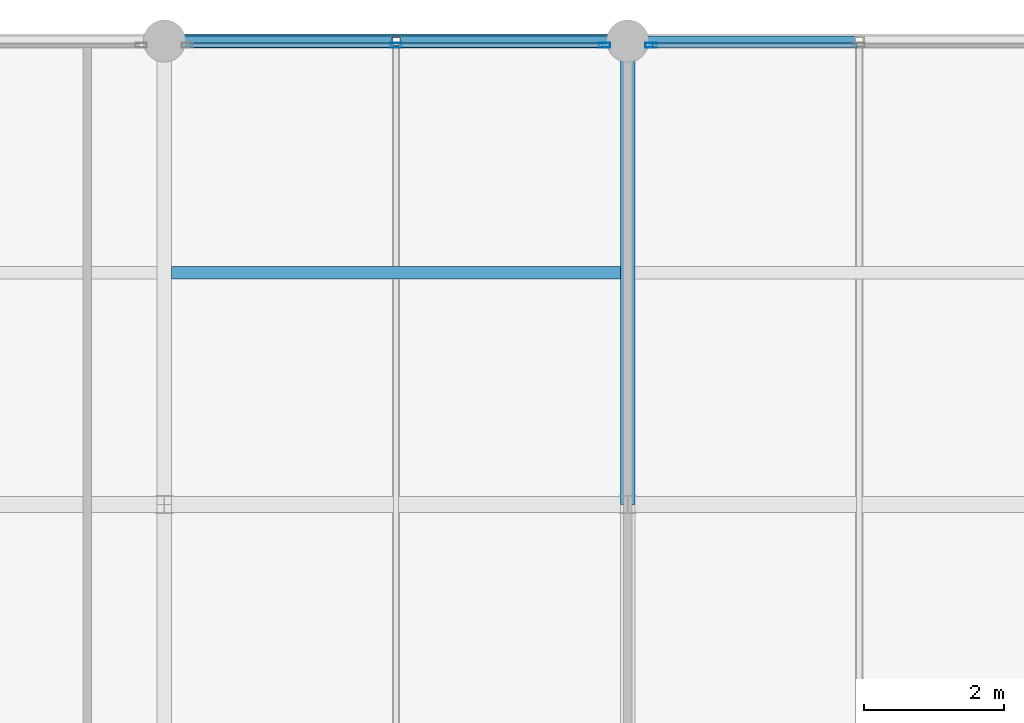
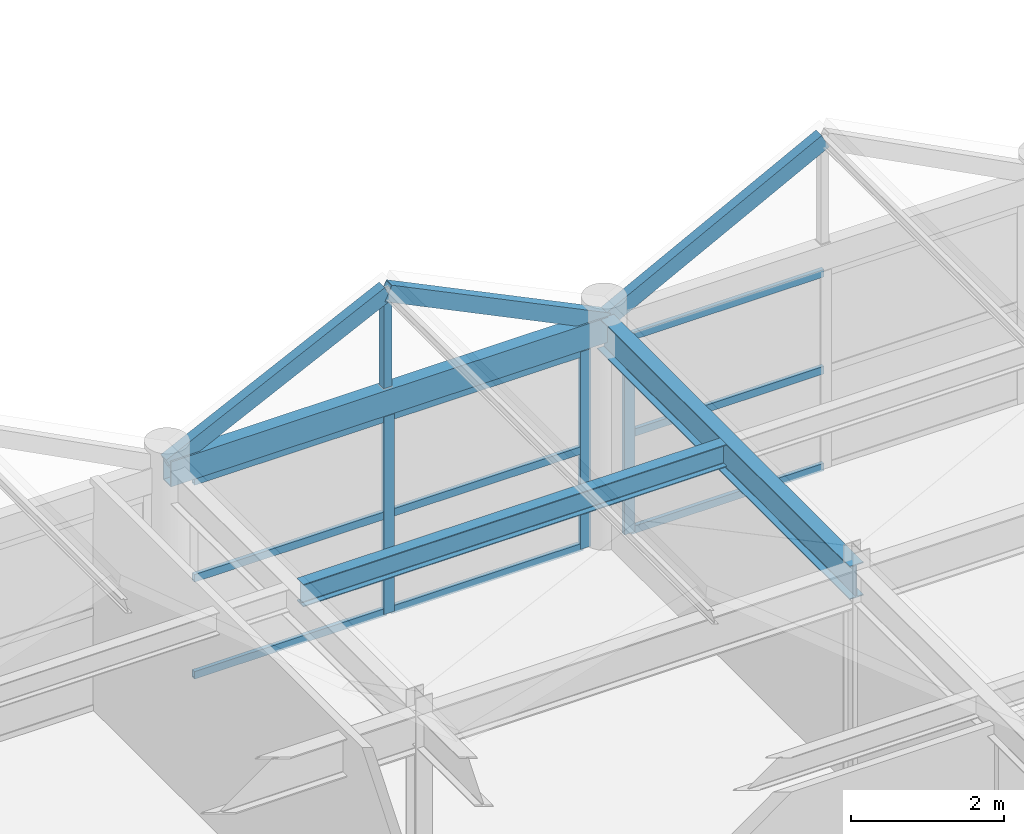
# One storey, part 9 of 21: 16 members, 3 beams, 2 elements without a shape of their own.
"""IFC4 building model written with IfcOpenShell, lengths in metres."""

import ifcopenshell
import ifcopenshell.guid

model = None  # the IFC model being written
_history = None  # IfcOwnerHistory: only IFC2X3 demands one
_inside = {}  # id of a spatial element -> (the spatial element, [elements in it])
_under = {}  # id of a project, library or spatial element -> (it, [spatial elements below it])
_declared = {}  # id of a project -> (the project, [libraries it declares])
_typed = {}  # id of a type object -> (the type object, [elements of that type])
_made_of = {}  # id of a material, layer set ... -> (it, [elements and type objects made of it])


def new_model(schema):
    """Start an empty IFC model of exactly this schema.

    Asked for "IFC4X3", IfcOpenShell would pick the latest addendum, in which some entities
    have other attributes; the version numbers below select the first issue.
    IFC2X3 requires an IfcOwnerHistory on every rooted entity: one is made here for all.
    """
    global model, _history
    if schema == "IFC4X3":
        model = ifcopenshell.file(schema_version=(4, 3, 0, 0))
    else:
        model = ifcopenshell.file(schema=schema)
    _inside.clear()
    _under.clear()
    _declared.clear()
    _typed.clear()
    _made_of.clear()
    _history = None
    if model.schema == "IFC2X3":
        org = make("IfcOrganization", Name="unknown")
        user = make(
            "IfcPersonAndOrganization",
            ThePerson=make("IfcPerson", FamilyName="unknown"),
            TheOrganization=org,
        )
        app = make(
            "IfcApplication",
            ApplicationDeveloper=org,
            Version="unknown",
            ApplicationFullName="unknown",
            ApplicationIdentifier="unknown",
        )
        _history = make(
            "IfcOwnerHistory",
            OwningUser=user,
            OwningApplication=app,
            ChangeAction="ADDED",
            CreationDate=0,
        )
    return model


def make(cls, **values):
    """One entity of the class cls with the attributes given. An attribute that is None is left unset."""
    return model.create_entity(
        cls, **{name: value for name, value in values.items() if value is not None}
    )


def rooted(cls, **values):
    """An entity with a GlobalId (a new one), such as an element, a storey or a relation."""
    return make(cls, GlobalId=ifcopenshell.guid.new(), OwnerHistory=_history, **values)


def si_unit(unit_type, name, prefix=None):
    """IfcSIUnit, for example si_unit("LENGTHUNIT", "METRE", prefix="MILLI")."""
    return make("IfcSIUnit", UnitType=unit_type, Prefix=prefix, Name=name)


def assignment(units):
    """IfcUnitAssignment: the units of a project."""
    return None if units is None else make("IfcUnitAssignment", Units=units)


def point(xyz):
    """IfcCartesianPoint."""
    return None if xyz is None else make("IfcCartesianPoint", Coordinates=xyz)


def direction(xyz):
    """IfcDirection."""
    return None if xyz is None else make("IfcDirection", DirectionRatios=xyz)


def frame(location, z_axis=None, x_axis=None):
    """IfcAxis2Placement3D, a coordinate frame: its origin and axes. An axis left out is left unset."""
    return make(
        "IfcAxis2Placement3D",
        Location=point(location),
        Axis=direction(z_axis),
        RefDirection=direction(x_axis),
    )


def frame_2d(location, x_axis=None):
    """IfcAxis2Placement2D, a coordinate frame in the plane: its origin and x axis."""
    return make(
        "IfcAxis2Placement2D", Location=point(location), RefDirection=direction(x_axis)
    )


def origin():
    """The frame at (0, 0, 0) with its axes left unset."""
    return frame((0.0, 0.0, 0.0))


def origin_2d():
    """The frame at (0, 0) in the plane with its x axis left unset."""
    return frame_2d((0.0, 0.0))


def place(relative_to, where):
    """IfcLocalPlacement: puts the frame where relative to a parent placement (None: the world)."""
    return make(
        "IfcLocalPlacement", PlacementRelTo=relative_to, RelativePlacement=where
    )


def context(
    kind, dimensions, precision=None, world=None, true_north=None, identifier=None
):
    """IfcGeometricRepresentationContext, for example the 3D "Model" context."""
    return make(
        "IfcGeometricRepresentationContext",
        ContextIdentifier=identifier,
        ContextType=kind,
        CoordinateSpaceDimension=dimensions,
        Precision=precision,
        WorldCoordinateSystem=world,
        TrueNorth=true_north,
    )


def subcontext(parent, identifier, kind, view, scale=None):
    """IfcGeometricRepresentationSubContext, for example "Body" below "Model"."""
    return make(
        "IfcGeometricRepresentationSubContext",
        ContextIdentifier=identifier,
        ContextType=kind,
        ParentContext=parent,
        TargetScale=scale,
        TargetView=view,
    )


def project(units=None, contexts=None):
    """IfcProject with its units and contexts."""
    return rooted(
        "IfcProject",
        Name="project",
        RepresentationContexts=contexts,
        UnitsInContext=assignment(units),
    )


def spatial(cls, under=None, at=None, **own):
    """A site, building, storey or space (cls), placed at a placement, below another one or the project."""
    s = rooted(cls, ObjectPlacement=at, **own)
    if under is not None:
        _under.setdefault(under.id(), (under, []))[1].append(s)
    return s


def profile(cls, at=None, kind="AREA", **sizes):
    """A parametric profile (cls). Its sizes go by their IFC names, for example OverallWidth=200.0."""
    return make(cls, ProfileType=kind, Position=at, **sizes)


def hollow_rectangle(**sizes):
    """IfcRectangleHollowProfileDef."""
    return profile("IfcRectangleHollowProfileDef", **sizes)


def i_section(**sizes):
    """IfcIShapeProfileDef."""
    return profile("IfcIShapeProfileDef", **sizes)


def extrude(swept, where, along, depth):
    """IfcExtrudedAreaSolid: the profile swept, set in the frame where, extruded along a direction by depth."""
    return make(
        "IfcExtrudedAreaSolid",
        SweptArea=swept,
        Position=where,
        ExtrudedDirection=direction(along),
        Depth=depth,
    )


def shape(context_of_items, identifier, shape_type, items):
    """IfcShapeRepresentation: the items that make up one representation, for example the "Body"."""
    return make(
        "IfcShapeRepresentation",
        ContextOfItems=context_of_items,
        RepresentationIdentifier=identifier,
        RepresentationType=shape_type,
        Items=items,
    )


def material(Name=None, Category=None):
    """IfcMaterial."""
    return make("IfcMaterial", Name=Name, Category=Category)


def material_profile(
    of_material, cross_section, Name=None, Category=None, Priority=None
):
    """IfcMaterialProfile: a cross section and its material."""
    return make(
        "IfcMaterialProfile",
        Name=Name,
        Material=of_material,
        Profile=cross_section,
        Priority=Priority,
        Category=Category,
    )


def profile_set(profiles, Name=None, composite=None):
    """IfcMaterialProfileSet."""
    return make(
        "IfcMaterialProfileSet",
        Name=Name,
        MaterialProfiles=profiles,
        CompositeProfile=composite,
    )


def made_of(thing, what):
    """Note that an element or type object is made of a material, layer set ...; save() writes the relation."""
    if what is not None:
        _made_of.setdefault(what.id(), (what, []))[1].append(thing)
    return thing


def type_object(cls, material=None, **own):
    """A type object (cls), such as IfcWallType, which elements share."""
    return made_of(rooted(cls, **own), material)


def element(
    cls,
    number,
    at=None,
    inside=None,
    cuts=None,
    type_object=None,
    material=None,
    context=None,
    identifier="Body",
    shape_type=None,
    held_by="IfcProductDefinitionShape",
    body=None,
    shapes=None,
    **own,
):
    """One element of the class cls, such as IfcWall. Its Tag is "e" and its number.

    at: its placement. inside: the storey or other place that contains it. cuts: it is an
    opening in that element (IfcRelVoidsElement). A single representation is given by context,
    identifier, shape_type and body (its items); several are given by shapes. held_by: the class
    of the entity that holds the representations. save() writes the other relations.
    """
    e = rooted(cls, Tag="e%d" % number, ObjectPlacement=at, **own)
    if body is not None:
        shapes = [shape(context, identifier, shape_type, body)]
    if shapes is not None:
        e.Representation = make(held_by, Representations=shapes)
    if inside is not None:
        _inside.setdefault(inside.id(), (inside, []))[1].append(e)
    if cuts is not None:
        rooted(
            "IfcRelVoidsElement", RelatingBuildingElement=cuts, RelatedOpeningElement=e
        )
    if type_object is not None:
        _typed.setdefault(type_object.id(), (type_object, []))[1].append(e)
    return made_of(e, material)


def aggregate(whole, parts):
    """IfcRelAggregates: a whole, such as a stair, and the parts it consists of."""
    return rooted("IfcRelAggregates", RelatingObject=whole, RelatedObjects=parts)


def save(model, path):
    """Write the relations noted so far, then the file.

    IfcRelAggregates (storeys below a building ...), IfcRelContainedInSpatialStructure (elements
    in a storey), IfcRelDefinesByType, IfcRelAssociatesMaterial and IfcRelDeclares: one each for
    every whole, place, type object, material and project.
    """
    for whole, parts in _under.values():
        aggregate(whole, parts)
    for where, things in _inside.values():
        rooted(
            "IfcRelContainedInSpatialStructure",
            RelatedElements=things,
            RelatingStructure=where,
        )
    for kind, things in _typed.values():
        rooted("IfcRelDefinesByType", RelatedObjects=things, RelatingType=kind)
    for what, things in _made_of.values():
        rooted("IfcRelAssociatesMaterial", RelatedObjects=things, RelatingMaterial=what)
    for by, libraries in _declared.values():
        rooted("IfcRelDeclares", RelatingContext=by, RelatedDefinitions=libraries)
    model.write(path)


model = new_model("IFC4")

# Units and contexts
model_context = context("Model", 3, precision=1e-05, world=origin(), true_north=direction((0.0, 1.0)))
body_context = subcontext(model_context, "Body", "Model", "MODEL_VIEW")
ifc_project = project(units=[si_unit("LENGTHUNIT", "METRE"), si_unit("AREAUNIT", "SQUARE_METRE"), si_unit("VOLUMEUNIT", "CUBIC_METRE"), si_unit("PLANEANGLEUNIT", "RADIAN"), si_unit("MASSUNIT", "GRAM", prefix="KILO")], contexts=[model_context])

# Site, building, storey
site_placement = place(None, origin())
site = spatial("IfcSite", under=ifc_project, at=site_placement, CompositionType="ELEMENT")
building_placement = place(site_placement, origin())
building = spatial("IfcBuilding", under=site, at=building_placement, Name="Karori Crest Natural Sciences Institute", CompositionType="ELEMENT")
storey_placement = place(building_placement, frame((0.0, 0.0, 42.0)))
storey = spatial("IfcBuildingStorey", under=building, at=storey_placement, Name="L10", CompositionType="ELEMENT", Elevation=42.0)

# Beams
ifc_material_1 = material(Name="Structural steel AS/NZS 3679.1 Grade 350", Category="steel")
ifc_material_profile_1 = material_profile(ifc_material_1, i_section(OverallWidth=0.208984375, OverallDepth=0.532958984375, WebThickness=0.01025390625, FlangeThickness=0.015625, FilletRadius=0.013916015625, at=origin_2d()), Name="530UB92.4")
ifc_profile_set_1 = profile_set([ifc_material_profile_1], Name="Structural steel AS/NZS 3679.1 Grade 350")
beam_type_1 = type_object("IfcBeamType", Name="BT-05", PredefinedType="BEAM", material=ifc_profile_set_1)
beam_1_placement = place(storey_placement, frame((116.800048828125, 14.0, 3.303466796875), z_axis=(0.0, 1.0, 0.0), x_axis=(-1.0, 0.0, 0.0)))
element("IfcBeam", 1, at=beam_1_placement, inside=storey, type_object=beam_type_1, Name="Beam B-2855", PredefinedType="BEAM", context=body_context, shape_type="SweptSolid", body=[
    extrude(i_section(OverallWidth=0.208984375, OverallDepth=0.532958984375, WebThickness=0.01025390625, FlangeThickness=0.015625, FilletRadius=0.013916015625, at=origin_2d()), origin(), (0.0, 0.0, 1.0), 6.60009765625),
])
ifc_material_profile_2 = material_profile(ifc_material_1, i_section(OverallWidth=0.172119140625, OverallDepth=0.35888671875, WebThickness=0.008056640625, FlangeThickness=0.012939453125, FilletRadius=0.010986328125, at=origin_2d()), Name="360UB56.7")
ifc_profile_set_2 = profile_set([ifc_material_profile_2], Name="Structural steel AS/NZS 3679.1 Grade 350")
beam_type_2 = type_object("IfcBeamType", Name="BT-08", PredefinedType="BEAM", material=ifc_profile_set_2)
beam_2_placement = place(storey_placement, frame((110.304443359375, 17.300048828125, 3.390380859375), z_axis=(1.0, 0.0, 0.0), x_axis=(0.0, 1.0, 0.0)))
element("IfcBeam", 2, at=beam_2_placement, inside=storey, type_object=beam_type_2, Name="Beam B-2868", PredefinedType="BEAM", context=body_context, shape_type="SweptSolid", body=[
    extrude(i_section(OverallWidth=0.172119140625, OverallDepth=0.35888671875, WebThickness=0.008056640625, FlangeThickness=0.012939453125, FilletRadius=0.010986328125, at=origin_2d()), origin(), (0.0, 0.0, 1.0), 6.39111328125),
])
ifc_material_2 = material(Name="Hollow structural steel AS/NZS 1163 Grade C350", Category="steel")
ifc_material_profile_3 = material_profile(ifc_material_2, hollow_rectangle(XDim=0.199951171875, YDim=0.39990234375, WallThickness=0.012451171875, at=origin_2d()), Name="RHS400x200x12.5")
ifc_profile_set_3 = profile_set([ifc_material_profile_3], Name="Hollow structural steel AS/NZS 1163 Grade C350")
beam_type_3 = type_object("IfcBeamType", Name="BT-14", PredefinedType="SPANDREL", material=ifc_profile_set_3)
beam_3_placement = place(storey_placement, frame((110.199951171875, 20.60009765625, 3.3701171875), z_axis=(1.0, 0.0, 0.0), x_axis=(0.0, 1.0, 0.0)))
element("IfcBeam", 3, at=beam_3_placement, inside=storey, type_object=beam_type_3, Name="Beam B-2843", PredefinedType="SPANDREL", context=body_context, shape_type="SweptSolid", body=[
    extrude(hollow_rectangle(XDim=0.199951171875, YDim=0.39990234375, WallThickness=0.012451171875, at=origin_2d()), origin(), (0.0, 0.0, 1.0), 6.60009765625),
])

# Curtain wall, members
ifc_material_3 = material(Name="Anodised architectural aluminium 6063-T6", Category="aluminium")
curtain_wall_type = type_object("IfcCurtainWallType", Name="CWT-20", PredefinedType="NOTDEFINED", material=ifc_material_3)
curtain_wall_1_placement = place(storey_placement, origin())
curtain_wall_1 = element("IfcCurtainWall", 4, at=curtain_wall_1_placement, inside=storey, type_object=curtain_wall_type, Name="Curtain wall CW-0380", PredefinedType="NOTDEFINED")
ifc_material_profile_4 = material_profile(ifc_material_3, hollow_rectangle(XDim=0.06494140625, YDim=0.159912109375, WallThickness=0.00390625, at=origin_2d()), Name="CWM160x65x4")
ifc_profile_set_4 = profile_set([ifc_material_profile_4], Name="Anodised architectural aluminium 6063-T6")
member_type_1 = type_object("IfcMemberType", Name="CWM-01", PredefinedType="MULLION", material=ifc_profile_set_4)
member_1_placement = place(storey_placement, frame((113.5, 20.5400390625, 0.0), z_axis=(0.0, 0.0, 1.0), x_axis=(0.0, 1.0, 0.0)))
member_1 = element("IfcMember", 5, at=member_1_placement, type_object=member_type_1, Name="CW-0380 mullion 2", PredefinedType="MULLION", context=body_context, shape_type="SweptSolid", body=[
    extrude(hollow_rectangle(XDim=0.06494140625, YDim=0.159912109375, WallThickness=0.00390625, at=origin_2d()), origin(), (0.0, 0.0, 1.0), 3.155029296875),
])
member_2_placement = place(storey_placement, frame((116.469482421875, 20.5400390625, 0.0), z_axis=(0.0, 0.0, 1.0), x_axis=(0.0, 1.0, 0.0)))
member_2 = element("IfcMember", 6, at=member_2_placement, type_object=member_type_1, Name="CW-0380 mullion 3", PredefinedType="MULLION", context=body_context, shape_type="SweptSolid", body=[
    extrude(hollow_rectangle(XDim=0.06494140625, YDim=0.159912109375, WallThickness=0.00390625, at=origin_2d()), origin(), (0.0, 0.0, 1.0), 3.155029296875),
])

# Curtain wall, member
curtain_wall_2_placement = place(storey_placement, origin())
curtain_wall_2 = element("IfcCurtainWall", 7, at=curtain_wall_2_placement, inside=storey, type_object=curtain_wall_type, Name="Curtain wall CW-0381", PredefinedType="NOTDEFINED")
member_3_placement = place(storey_placement, frame((117.130615234375, 20.5400390625, 0.0), z_axis=(0.0, 0.0, 1.0), x_axis=(0.0, 1.0, 0.0)))
member_3 = element("IfcMember", 8, at=member_3_placement, type_object=member_type_1, Name="CW-0381 mullion 1", PredefinedType="MULLION", context=body_context, shape_type="SweptSolid", body=[
    extrude(hollow_rectangle(XDim=0.06494140625, YDim=0.159912109375, WallThickness=0.00390625, at=origin_2d()), origin(), (0.0, 0.0, 1.0), 3.155029296875),
])

# Member
ifc_material_profile_5 = material_profile(ifc_material_3, hollow_rectangle(XDim=0.06005859375, YDim=0.1201171875, WallThickness=0.00390625, at=origin_2d()), Name="CWT120x60x4")
ifc_profile_set_5 = profile_set([ifc_material_profile_5], Name="Anodised architectural aluminium 6063-T6")
member_type_2 = type_object("IfcMemberType", Name="CWT-TR1", PredefinedType="USERDEFINED", material=ifc_profile_set_5)
member_4_placement = place(storey_placement, frame((110.56298828125, 20.5400390625, 0.030029296875), z_axis=(1.0, 0.0, 0.0), x_axis=(0.0, 1.0, 0.0)))
member_4 = element("IfcMember", 9, at=member_4_placement, type_object=member_type_2, Name="CW-0380 transom 1.1", ObjectType="TRANSOM", PredefinedType="USERDEFINED", context=body_context, shape_type="SweptSolid", body=[
    extrude(hollow_rectangle(XDim=0.06005859375, YDim=0.1201171875, WallThickness=0.00390625, at=origin_2d()), origin(), (0.0, 0.0, 1.0), 2.904541015625),
])

member_5_placement = place(storey_placement, frame((110.56298828125, 20.5400390625, 1.577392578125), z_axis=(1.0, 0.0, 0.0), x_axis=(0.0, 1.0, 0.0)))
member_5 = element("IfcMember", 10, at=member_5_placement, type_object=member_type_2, Name="CW-0380 transom 1.2", ObjectType="TRANSOM", PredefinedType="USERDEFINED", context=body_context, shape_type="SweptSolid", body=[
    extrude(hollow_rectangle(XDim=0.06005859375, YDim=0.1201171875, WallThickness=0.00390625, at=origin_2d()), origin(), (0.0, 0.0, 1.0), 2.904541015625),
])

member_6_placement = place(storey_placement, frame((110.56298828125, 20.5400390625, 3.125), z_axis=(1.0, 0.0, 0.0), x_axis=(0.0, 1.0, 0.0)))
member_6 = element("IfcMember", 11, at=member_6_placement, type_object=member_type_2, Name="CW-0380 transom 1.3", ObjectType="TRANSOM", PredefinedType="USERDEFINED", context=body_context, shape_type="SweptSolid", body=[
    extrude(hollow_rectangle(XDim=0.06005859375, YDim=0.1201171875, WallThickness=0.00390625, at=origin_2d()), origin(), (0.0, 0.0, 1.0), 2.904541015625),
])

member_7_placement = place(storey_placement, frame((113.532470703125, 20.5400390625, 0.030029296875), z_axis=(1.0, 0.0, 0.0), x_axis=(0.0, 1.0, 0.0)))
member_7 = element("IfcMember", 12, at=member_7_placement, type_object=member_type_2, Name="CW-0380 transom 2.1", ObjectType="TRANSOM", PredefinedType="USERDEFINED", context=body_context, shape_type="SweptSolid", body=[
    extrude(hollow_rectangle(XDim=0.06005859375, YDim=0.1201171875, WallThickness=0.00390625, at=origin_2d()), origin(), (0.0, 0.0, 1.0), 2.904541015625),
])

member_8_placement = place(storey_placement, frame((113.532470703125, 20.5400390625, 1.577392578125), z_axis=(1.0, 0.0, 0.0), x_axis=(0.0, 1.0, 0.0)))
member_8 = element("IfcMember", 13, at=member_8_placement, type_object=member_type_2, Name="CW-0380 transom 2.2", ObjectType="TRANSOM", PredefinedType="USERDEFINED", context=body_context, shape_type="SweptSolid", body=[
    extrude(hollow_rectangle(XDim=0.06005859375, YDim=0.1201171875, WallThickness=0.00390625, at=origin_2d()), origin(), (0.0, 0.0, 1.0), 2.904541015625),
])

member_9_placement = place(storey_placement, frame((113.532470703125, 20.5400390625, 3.125), z_axis=(1.0, 0.0, 0.0), x_axis=(0.0, 1.0, 0.0)))
member_9 = element("IfcMember", 14, at=member_9_placement, type_object=member_type_2, Name="CW-0380 transom 2.3", ObjectType="TRANSOM", PredefinedType="USERDEFINED", context=body_context, shape_type="SweptSolid", body=[
    extrude(hollow_rectangle(XDim=0.06005859375, YDim=0.1201171875, WallThickness=0.00390625, at=origin_2d()), origin(), (0.0, 0.0, 1.0), 2.904541015625),
])

aggregate(curtain_wall_1, [member_1, member_2, member_4, member_5, member_6, member_7, member_8, member_9])

member_10_placement = place(storey_placement, frame((117.1630859375, 20.5400390625, 0.030029296875), z_axis=(1.0, 0.0, 0.0), x_axis=(0.0, 1.0, 0.0)))
member_10 = element("IfcMember", 15, at=member_10_placement, type_object=member_type_2, Name="CW-0381 transom 1.1", ObjectType="TRANSOM", PredefinedType="USERDEFINED", context=body_context, shape_type="SweptSolid", body=[
    extrude(hollow_rectangle(XDim=0.06005859375, YDim=0.1201171875, WallThickness=0.00390625, at=origin_2d()), origin(), (0.0, 0.0, 1.0), 2.904296875),
])

member_11_placement = place(storey_placement, frame((117.1630859375, 20.5400390625, 1.577392578125), z_axis=(1.0, 0.0, 0.0), x_axis=(0.0, 1.0, 0.0)))
member_11 = element("IfcMember", 16, at=member_11_placement, type_object=member_type_2, Name="CW-0381 transom 1.2", ObjectType="TRANSOM", PredefinedType="USERDEFINED", context=body_context, shape_type="SweptSolid", body=[
    extrude(hollow_rectangle(XDim=0.06005859375, YDim=0.1201171875, WallThickness=0.00390625, at=origin_2d()), origin(), (0.0, 0.0, 1.0), 2.904296875),
])

member_12_placement = place(storey_placement, frame((117.1630859375, 20.5400390625, 3.125), z_axis=(1.0, 0.0, 0.0), x_axis=(0.0, 1.0, 0.0)))
member_12 = element("IfcMember", 17, at=member_12_placement, type_object=member_type_2, Name="CW-0381 transom 1.3", ObjectType="TRANSOM", PredefinedType="USERDEFINED", context=body_context, shape_type="SweptSolid", body=[
    extrude(hollow_rectangle(XDim=0.06005859375, YDim=0.1201171875, WallThickness=0.00390625, at=origin_2d()), origin(), (0.0, 0.0, 1.0), 2.904296875),
])

aggregate(curtain_wall_2, [member_3, member_10, member_11, member_12])

# Members
ifc_material_profile_6 = material_profile(ifc_material_2, hollow_rectangle(XDim=0.14990234375, YDim=0.25, WallThickness=0.009033203125, at=origin_2d()), Name="RHS250x150x9")
ifc_profile_set_6 = profile_set([ifc_material_profile_6], Name="Hollow structural steel AS/NZS 1163 Grade C350")
member_type_3 = type_object("IfcMemberType", Name="MT-08", PredefinedType="RAFTER", material=ifc_profile_set_6)
for number, where, z_axis, x_axis, name in (
    (18, (110.199951171875, 20.60009765625, 3.489990234375), (0.899806188121, 0.0, 0.436289839235), (0.0, 1.0, 0.0), "Member M-0472"),
    (19, (116.800048828125, 20.60009765625, 3.489990234375), (-0.899806188121, 0.0, 0.436289839235), (0.0, -1.0, 0.0), "Member M-0473"),
):
    element("IfcMember", number, at=place(storey_placement, frame(where, z_axis=z_axis, x_axis=x_axis)), inside=storey, type_object=member_type_3, Name=name, PredefinedType="RAFTER", context=body_context, shape_type="SweptSolid", body=[
        extrude(hollow_rectangle(XDim=0.14990234375, YDim=0.25, WallThickness=0.009033203125, at=origin_2d()), origin(), (0.0, 0.0, 1.0), 3.66748046875),
    ])
member_13_placement = place(storey_placement, frame((116.800048828125, 20.60009765625, 3.489990234375), z_axis=(0.886782457456, 0.0, 0.462187054285), x_axis=(0.0, 1.0, 0.0)))
element("IfcMember", 20, at=member_13_placement, inside=storey, type_object=member_type_3, Name="Member M-0479", PredefinedType="RAFTER", context=body_context, shape_type="SweptSolid", body=[
    extrude(hollow_rectangle(XDim=0.14990234375, YDim=0.25, WallThickness=0.009033203125, at=origin_2d()), origin(), (0.0, 0.0, 1.0), 3.721435546875),
])
ifc_material_profile_7 = material_profile(ifc_material_2, hollow_rectangle(XDim=0.125, YDim=0.125, WallThickness=0.006103515625, at=origin_2d()), Name="SHS125x125x6")
ifc_profile_set_7 = profile_set([ifc_material_profile_7], Name="Hollow structural steel AS/NZS 1163 Grade C350")
member_type_4 = type_object("IfcMemberType", Name="MT-20", PredefinedType="STRUT", material=ifc_profile_set_7)
member_14_placement = place(storey_placement, frame((113.5, 20.60009765625, 3.58203125), z_axis=(0.0, 0.0, 1.0), x_axis=(1.0, 0.0, 0.0)))
element("IfcMember", 21, at=member_14_placement, inside=storey, type_object=member_type_4, Name="Member M-0469", PredefinedType="STRUT", context=body_context, shape_type="SweptSolid", body=[
    extrude(hollow_rectangle(XDim=0.125, YDim=0.125, WallThickness=0.006103515625, at=origin_2d()), origin(), (0.0, 0.0, 1.0), 1.508056640625),
])

save(model, "model.ifc")
